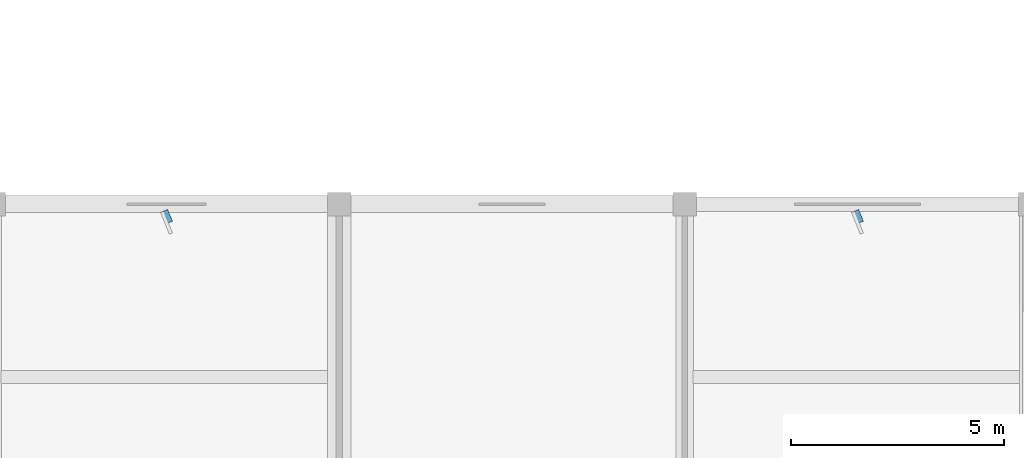
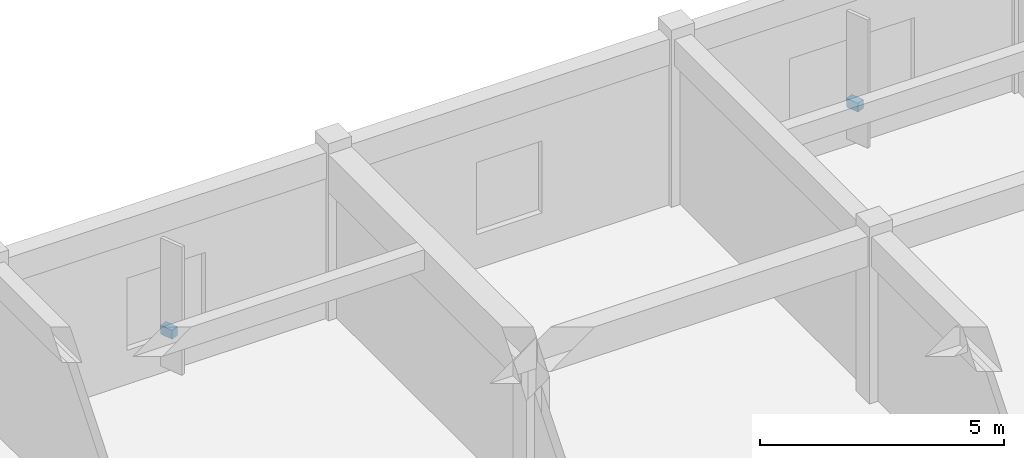
# One storey, part 31 of 33: 2 discrete accessories.
"""IFC4 building model written with IfcOpenShell, lengths in metres."""

from ifc_helpers import new_model, si_unit, direction, frame, origin, origin_2d, place, context, subcontext, project, spatial, rectangle, extrude, material, type_object, element, save


model = new_model("IFC4")

# Units and contexts
model_context = context("Model", 3, precision=1e-05, world=origin(), true_north=direction((0.0, 1.0)))
body_context = subcontext(model_context, "Body", "Model", "MODEL_VIEW")
ifc_project = project(units=[si_unit("LENGTHUNIT", "METRE"), si_unit("AREAUNIT", "SQUARE_METRE"), si_unit("VOLUMEUNIT", "CUBIC_METRE"), si_unit("PLANEANGLEUNIT", "RADIAN"), si_unit("MASSUNIT", "GRAM", prefix="KILO")], contexts=[model_context])

# Site, building, storey
site_placement = place(None, origin())
site = spatial("IfcSite", under=ifc_project, at=site_placement, CompositionType="ELEMENT")
building_placement = place(site_placement, origin())
building = spatial("IfcBuilding", under=site, at=building_placement, Name="Vaudrelin Polytechnic", CompositionType="ELEMENT")
storey_placement = place(building_placement, frame((0.0, 0.0, 27.3701171875)))
storey = spatial("IfcBuildingStorey", under=building, at=storey_placement, Name="L06", CompositionType="ELEMENT", Elevation=27.3701171875)

# Discrete accessories
ifc_material = material(Name="Galvanised steel CSA G40.21 350W", Category="steel")
discrete_accessory_type = type_object("IfcDiscreteAccessoryType", Name="ENV-BRK-01", PredefinedType="BRACKET", material=ifc_material)
for number, where, z_axis, x_axis, name in (
    (1, (149.85009765625, 121.205078125, 0.98974609375), (0.0, 0.0, 1.0), (0.374606593416, -0.927183854567, 0.0), "Solar fin support bracket BRK-047"),
    (2, (166.050048828125, 121.205078125, 0.98974609375), (0.0, 0.0, 1.0), (0.374606593416, -0.927183854567, 0.0), "Solar fin support bracket BRK-048"),
):
    element("IfcDiscreteAccessory", number, at=place(storey_placement, frame(where, z_axis=z_axis, x_axis=x_axis)), inside=storey, type_object=discrete_accessory_type, Name=name, PredefinedType="BRACKET", context=body_context, shape_type="SweptSolid", body=[
        extrude(rectangle(XDim=0.300048828125, YDim=0.179931640625, at=origin_2d()), origin(), (0.0, 0.0, 1.0), 0.219970703125),
    ])

save(model, "model.ifc")
